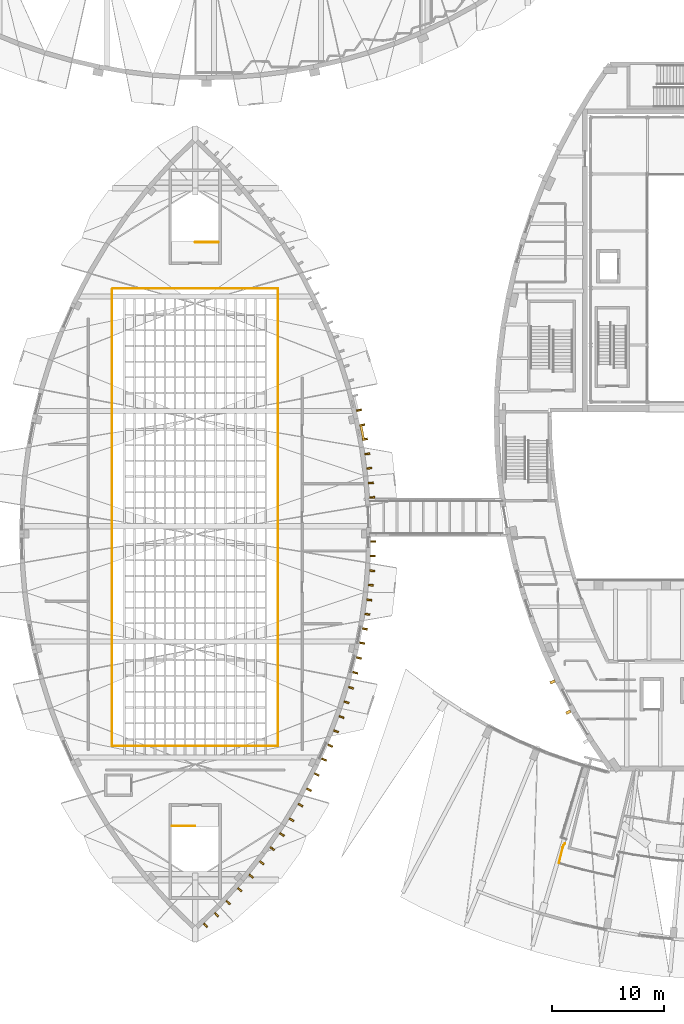
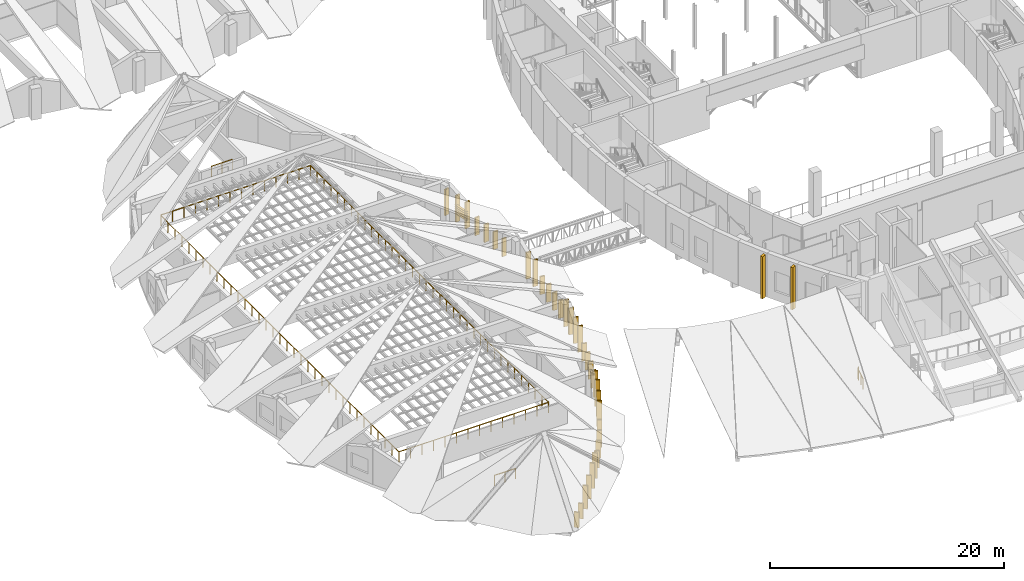
# One storey, part 51 of 56: 42 shading devices, 5 railings.
"""IFC4 building model written with IfcOpenShell, lengths in metres."""

from ifc_helpers import new_model, si_unit, direction, frame, origin, origin_2d, place, context, subcontext, project, spatial, rectangle, circle, extrude, material, layer, layer_set, type_object, element, save


model = new_model("IFC4")

# Units and contexts
model_context = context("Model", 3, precision=1e-05, world=origin(), true_north=direction((0.0, 1.0)))
body_context = subcontext(model_context, "Body", "Model", "MODEL_VIEW")
ifc_project = project(units=[si_unit("LENGTHUNIT", "METRE"), si_unit("AREAUNIT", "SQUARE_METRE"), si_unit("VOLUMEUNIT", "CUBIC_METRE"), si_unit("PLANEANGLEUNIT", "RADIAN"), si_unit("MASSUNIT", "GRAM", prefix="KILO")], contexts=[model_context])

# Site, building, storey
site_placement = place(None, origin())
site = spatial("IfcSite", under=ifc_project, at=site_placement, CompositionType="ELEMENT")
building_placement = place(site_placement, origin())
building = spatial("IfcBuilding", under=site, at=building_placement, Name="Tide Square Theatres", CompositionType="ELEMENT")
storey_placement = place(building_placement, frame((0.0, 0.0, 10.199951171875)))
storey = spatial("IfcBuildingStorey", under=building, at=storey_placement, Name="L02", CompositionType="ELEMENT", Elevation=10.199951171875)

# Shading devices
ifc_material_1 = material(Name="Aluminium 6063-T5", Category="aluminium")
ifc_layer_1 = layer(ifc_material_1, 0.0400390625)
ifc_layer_set_1 = layer_set([ifc_layer_1], Name="Aluminium 6063-T5")
shading_device_type_1 = type_object("IfcShadingDeviceType", Name="Aluminium louvre blade 200", PredefinedType="USERDEFINED", material=ifc_layer_set_1)
for number, where, z_axis, x_axis, name in (
    (1, (50.911376953125, 53.57373046875, 0.880126953125), (0.0, 0.0, 1.0), (-0.188735523631, 0.982027953838, 0.0), "Studio Theatre plant room louvre"),
    (2, (50.911376953125, 53.57373046875, 1.10009765625), (0.0, 0.0, 1.0), (-0.188735523631, 0.982027953838, 0.0), "Studio Theatre plant room louvre"),
    (3, (50.911376953125, 53.57373046875, 1.320068359375), (0.0, 0.0, 1.0), (-0.188735523631, 0.982027953838, 0.0), "Studio Theatre plant room louvre"),
    (4, (50.911376953125, 53.57373046875, 1.5400390625), (0.0, 0.0, 1.0), (-0.188735523631, 0.982027953838, 0.0), "Studio Theatre plant room louvre"),
    (5, (50.911376953125, 53.57373046875, 1.760009765625), (0.0, 0.0, 1.0), (-0.188735523631, 0.982027953838, 0.0), "Studio Theatre plant room louvre"),
):
    element("IfcShadingDevice", number, at=place(storey_placement, frame(where, z_axis=z_axis, x_axis=x_axis)), inside=storey, type_object=shading_device_type_1, Name=name, ObjectType="LOUVRE", PredefinedType="USERDEFINED", context=body_context, shape_type="SweptSolid", body=[
        extrude(rectangle(XDim=1.5, YDim=0.199951171875, at=origin_2d()), origin(), (0.0, 0.0, 1.0), 0.0400390625),
    ])
ifc_material_2 = material(Name="Concrete C40", Category="concrete")
ifc_layer_2 = layer(ifc_material_2, 0.14990234375)
ifc_layer_set_2 = layer_set([ifc_layer_2], Name="Concrete C40")
shading_device_type_2 = type_object("IfcShadingDeviceType", Name="Concrete fin 450", PredefinedType="USERDEFINED", material=ifc_layer_set_2)
for number, where, z_axis, x_axis, name in (
    (6, (67.898681640625, 31.3056640625, 0.0), (0.0, 0.0, 1.0), (0.416344267901, -0.90920704495, 0.0), "Concrete fin"),
    (7, (69.306396484375, 28.604248046875, 0.0), (0.0, 0.0, 1.0), (0.466757131825, -0.884385538038, 0.0), "Concrete fin"),
):
    element("IfcShadingDevice", number, at=place(storey_placement, frame(where, z_axis=z_axis, x_axis=x_axis)), inside=storey, type_object=shading_device_type_2, Name=name, ObjectType="BRISE-SOLEIL FIN", PredefinedType="USERDEFINED", context=body_context, shape_type="SweptSolid", body=[
        extrude(rectangle(XDim=0.25, YDim=0.449951171875, at=origin_2d()), origin(), (0.0, 0.0, 1.0), 4.39990234375),
    ])
for number, where, z_axis, x_axis, name in (
    (8, (36.92431640625, 9.584228515625, 0.0), (0.0, 0.0, 1.0), (0.717263382773, 0.696802152503, 0.0), "Concrete fin"),
    (9, (37.90185546875, 10.533935546875, 0.0), (0.0, 0.0, 1.0), (0.717263382773, 0.696802152503, 0.0), "Concrete fin"),
):
    element("IfcShadingDevice", number, at=place(storey_placement, frame(where, z_axis=z_axis, x_axis=x_axis)), inside=storey, type_object=shading_device_type_2, Name=name, ObjectType="BRISE-SOLEIL FIN", PredefinedType="USERDEFINED", context=body_context, shape_type="SweptSolid", body=[
        extrude(rectangle(XDim=0.14990234375, YDim=0.449951171875, at=origin_2d()), origin(), (0.0, 0.0, 1.0), 1.602783203125),
    ])
for number, where, z_axis, x_axis, name in (
    (10, (38.938720703125, 11.613525390625, 0.0), (0.0, 0.0, 1.0), (0.670361866799, 0.74203434391, 0.0), "Concrete fin"),
    (11, (39.978515625, 12.76416015625, 0.0), (0.0, 0.0, 1.0), (0.670361866799, 0.74203434391, 0.0), "Concrete fin"),
):
    element("IfcShadingDevice", number, at=place(storey_placement, frame(where, z_axis=z_axis, x_axis=x_axis)), inside=storey, type_object=shading_device_type_2, Name=name, ObjectType="BRISE-SOLEIL FIN", PredefinedType="USERDEFINED", context=body_context, shape_type="SweptSolid", body=[
        extrude(rectangle(XDim=0.14990234375, YDim=0.449951171875, at=origin_2d()), origin(), (0.0, 0.0, 1.0), 2.449951171875),
    ])
for number, where, z_axis, x_axis, name in (
    (12, (40.998779296875, 13.969482421875, 0.0), (0.0, 0.0, 1.0), (0.620969949886, 0.783834371113, 0.0), "Concrete fin"),
    (13, (41.9482421875, 15.16796875, 0.0), (0.0, 0.0, 1.0), (0.620969949886, 0.783834371113, 0.0), "Concrete fin"),
):
    element("IfcShadingDevice", number, at=place(storey_placement, frame(where, z_axis=z_axis, x_axis=x_axis)), inside=storey, type_object=shading_device_type_2, Name=name, ObjectType="BRISE-SOLEIL FIN", PredefinedType="USERDEFINED", context=body_context, shape_type="SweptSolid", body=[
        extrude(rectangle(XDim=0.14990234375, YDim=0.449951171875, at=origin_2d()), origin(), (0.0, 0.0, 1.0), 2.644287109375),
    ])
for number, where, z_axis, x_axis, name in (
    (14, (42.882080078125, 16.427978515625, 0.0), (0.0, 0.0, 1.0), (0.569365615032, 0.822084421711, 0.0), "Concrete fin"),
    (15, (43.752685546875, 17.684814453125, 0.0), (0.0, 0.0, 1.0), (0.569365615032, 0.822084421711, 0.0), "Concrete fin"),
):
    element("IfcShadingDevice", number, at=place(storey_placement, frame(where, z_axis=z_axis, x_axis=x_axis)), inside=storey, type_object=shading_device_type_2, Name=name, ObjectType="BRISE-SOLEIL FIN", PredefinedType="USERDEFINED", context=body_context, shape_type="SweptSolid", body=[
        extrude(rectangle(XDim=0.14990234375, YDim=0.449951171875, at=origin_2d()), origin(), (0.0, 0.0, 1.0), 1.767578125),
    ])
for number, where, z_axis, x_axis, name in (
    (16, (44.603759765625, 19.002197265625, 0.0), (0.0, 0.0, 1.0), (0.515397079115, 0.856951486865, 0.0), "Concrete fin"),
    (17, (45.391845703125, 20.312255859375, 0.0), (0.0, 0.0, 1.0), (0.515397079115, 0.856951486865, 0.0), "Concrete fin"),
):
    element("IfcShadingDevice", number, at=place(storey_placement, frame(where, z_axis=z_axis, x_axis=x_axis)), inside=storey, type_object=shading_device_type_2, Name=name, ObjectType="BRISE-SOLEIL FIN", PredefinedType="USERDEFINED", context=body_context, shape_type="SweptSolid", body=[
        extrude(rectangle(XDim=0.14990234375, YDim=0.449951171875, at=origin_2d()), origin(), (0.0, 0.0, 1.0), 1.76416015625),
    ])
for number, where, z_axis, x_axis, name in (
    (18, (46.156494140625, 21.681640625, 0.0), (0.0, 0.0, 1.0), (0.459316325007, 0.888272769808, 0.0), "Concrete fin"),
    (19, (46.85888671875, 23.0400390625, 0.0), (0.0, 0.0, 1.0), (0.459316325007, 0.888272769808, 0.0), "Concrete fin"),
):
    element("IfcShadingDevice", number, at=place(storey_placement, frame(where, z_axis=z_axis, x_axis=x_axis)), inside=storey, type_object=shading_device_type_2, Name=name, ObjectType="BRISE-SOLEIL FIN", PredefinedType="USERDEFINED", context=body_context, shape_type="SweptSolid", body=[
        extrude(rectangle(XDim=0.14990234375, YDim=0.449951171875, at=origin_2d()), origin(), (0.0, 0.0, 1.0), 2.651123046875),
    ])
for number, where, z_axis, x_axis, name in (
    (20, (47.501220703125, 24.373779296875, 0.0), (0.0, 0.0, 1.0), (0.404630907884, 0.91448008638, 0.0), "Concrete fin"),
    (21, (48.05029296875, 25.614501953125, 0.0), (0.0, 0.0, 1.0), (0.404630907884, 0.91448008638, 0.0), "Concrete fin"),
):
    element("IfcShadingDevice", number, at=place(storey_placement, frame(where, z_axis=z_axis, x_axis=x_axis)), inside=storey, type_object=shading_device_type_2, Name=name, ObjectType="BRISE-SOLEIL FIN", PredefinedType="USERDEFINED", context=body_context, shape_type="SweptSolid", body=[
        extrude(rectangle(XDim=0.14990234375, YDim=0.449951171875, at=origin_2d()), origin(), (0.0, 0.0, 1.0), 2.754638671875),
    ])
for number, where, z_axis, x_axis, name in (
    (22, (48.576904296875, 26.9033203125, 0.0), (0.0, 0.0, 1.0), (0.351874322832, 0.936047253578, 0.0), "Concrete fin"),
    (23, (49.054443359375, 28.173583984375, 0.0), (0.0, 0.0, 1.0), (0.351874322832, 0.936047253578, 0.0), "Concrete fin"),
):
    element("IfcShadingDevice", number, at=place(storey_placement, frame(where, z_axis=z_axis, x_axis=x_axis)), inside=storey, type_object=shading_device_type_2, Name=name, ObjectType="BRISE-SOLEIL FIN", PredefinedType="USERDEFINED", context=body_context, shape_type="SweptSolid", body=[
        extrude(rectangle(XDim=0.14990234375, YDim=0.449951171875, at=origin_2d()), origin(), (0.0, 0.0, 1.0), 1.85546875),
    ])
for number, where, z_axis, x_axis, name in (
    (24, (49.507080078125, 29.490234375, 0.0), (0.0, 0.0, 1.0), (0.297924727468, 0.95458936552, 0.0), "Concrete fin"),
    (25, (49.911376953125, 30.785888671875, 0.0), (0.0, 0.0, 1.0), (0.297924727468, 0.95458936552, 0.0), "Concrete fin"),
):
    element("IfcShadingDevice", number, at=place(storey_placement, frame(where, z_axis=z_axis, x_axis=x_axis)), inside=storey, type_object=shading_device_type_2, Name=name, ObjectType="BRISE-SOLEIL FIN", PredefinedType="USERDEFINED", context=body_context, shape_type="SweptSolid", body=[
        extrude(rectangle(XDim=0.14990234375, YDim=0.449951171875, at=origin_2d()), origin(), (0.0, 0.0, 1.0), 1.851806640625),
    ])
for number, where, z_axis, x_axis, name in (
    (26, (50.2880859375, 32.126220703125, 0.0), (0.0, 0.0, 1.0), (0.243039435287, 0.97001640857, 0.0), "Concrete fin"),
    (27, (50.617919921875, 33.44287109375, 0.0), (0.0, 0.0, 1.0), (0.243039435287, 0.97001640857, 0.0), "Concrete fin"),
):
    element("IfcShadingDevice", number, at=place(storey_placement, frame(where, z_axis=z_axis, x_axis=x_axis)), inside=storey, type_object=shading_device_type_2, Name=name, ObjectType="BRISE-SOLEIL FIN", PredefinedType="USERDEFINED", context=body_context, shape_type="SweptSolid", body=[
        extrude(rectangle(XDim=0.14990234375, YDim=0.449951171875, at=origin_2d()), origin(), (0.0, 0.0, 1.0), 2.7373046875),
    ])
for number, where, z_axis, x_axis, name in (
    (28, (50.912353515625, 34.768798828125, 0.0), (0.0, 0.0, 1.0), (0.188735523631, 0.982027953838, 0.0), "Concrete fin"),
    (29, (51.156005859375, 36.036376953125, 0.0), (0.0, 0.0, 1.0), (0.188735523631, 0.982027953838, 0.0), "Concrete fin"),
):
    element("IfcShadingDevice", number, at=place(storey_placement, frame(where, z_axis=z_axis, x_axis=x_axis)), inside=storey, type_object=shading_device_type_2, Name=name, ObjectType="BRISE-SOLEIL FIN", PredefinedType="USERDEFINED", context=body_context, shape_type="SweptSolid", body=[
        extrude(rectangle(XDim=0.14990234375, YDim=0.449951171875, at=origin_2d()), origin(), (0.0, 0.0, 1.0), 2.783935546875),
    ])
for number, where, z_axis, x_axis, name in (
    (30, (51.370361328125, 37.343017578125, 0.0), (0.0, 0.0, 1.0), (0.135214092527, 0.990816405386, 0.0), "Concrete fin"),
    (31, (51.544921875, 38.6220703125, 0.0), (0.0, 0.0, 1.0), (0.135214092527, 0.990816405386, 0.0), "Concrete fin"),
):
    element("IfcShadingDevice", number, at=place(storey_placement, frame(where, z_axis=z_axis, x_axis=x_axis)), inside=storey, type_object=shading_device_type_2, Name=name, ObjectType="BRISE-SOLEIL FIN", PredefinedType="USERDEFINED", context=body_context, shape_type="SweptSolid", body=[
        extrude(rectangle(XDim=0.14990234375, YDim=0.449951171875, at=origin_2d()), origin(), (0.0, 0.0, 1.0), 1.880859375),
    ])
for number, where, z_axis, x_axis, name in (
    (32, (51.688232421875, 39.9384765625, 0.0), (0.0, 0.0, 1.0), (0.081294891247, 0.996690092585, 0.0), "Concrete fin"),
    (33, (51.793212890625, 41.22509765625, 0.0), (0.0, 0.0, 1.0), (0.081294891247, 0.996690092585, 0.0), "Concrete fin"),
):
    element("IfcShadingDevice", number, at=place(storey_placement, frame(where, z_axis=z_axis, x_axis=x_axis)), inside=storey, type_object=shading_device_type_2, Name=name, ObjectType="BRISE-SOLEIL FIN", PredefinedType="USERDEFINED", context=body_context, shape_type="SweptSolid", body=[
        extrude(rectangle(XDim=0.14990234375, YDim=0.449951171875, at=origin_2d()), origin(), (0.0, 0.0, 1.0), 1.8759765625),
    ])
for number, where, z_axis, x_axis, name in (
    (34, (51.864990234375, 42.547607421875, 0.0), (0.0, 0.0, 1.0), (0.027153985105, 0.999631262563, 0.0), "Concrete fin"),
    (35, (51.89990234375, 43.837890625, 0.0), (0.0, 0.0, 1.0), (0.027153985105, 0.999631262563, 0.0), "Concrete fin"),
):
    element("IfcShadingDevice", number, at=place(storey_placement, frame(where, z_axis=z_axis, x_axis=x_axis)), inside=storey, type_object=shading_device_type_2, Name=name, ObjectType="BRISE-SOLEIL FIN", PredefinedType="USERDEFINED", context=body_context, shape_type="SweptSolid", body=[
        extrude(rectangle(XDim=0.14990234375, YDim=0.449951171875, at=origin_2d()), origin(), (0.0, 0.0, 1.0), 2.76953125),
    ])
for number, where, z_axis, x_axis, name in (
    (36, (51.793212890625, 47.77490234375, 0.0), (0.0, 0.0, 1.0), (-0.081294891247, 0.996690092585, 0.0), "Concrete fin"),
    (37, (51.688232421875, 49.0615234375, 0.0), (0.0, 0.0, 1.0), (-0.081294891247, 0.996690092585, 0.0), "Concrete fin"),
):
    element("IfcShadingDevice", number, at=place(storey_placement, frame(where, z_axis=z_axis, x_axis=x_axis)), inside=storey, type_object=shading_device_type_2, Name=name, ObjectType="BRISE-SOLEIL FIN", PredefinedType="USERDEFINED", context=body_context, shape_type="SweptSolid", body=[
        extrude(rectangle(XDim=0.14990234375, YDim=0.449951171875, at=origin_2d()), origin(), (0.0, 0.0, 1.0), 1.864990234375),
    ])
for number, where, z_axis, x_axis, name in (
    (38, (51.544921875, 50.3779296875, 0.0), (0.0, 0.0, 1.0), (-0.135214092527, 0.990816405386, 0.0), "Concrete fin"),
    (39, (51.370361328125, 51.656982421875, 0.0), (0.0, 0.0, 1.0), (-0.135214092527, 0.990816405386, 0.0), "Concrete fin"),
):
    element("IfcShadingDevice", number, at=place(storey_placement, frame(where, z_axis=z_axis, x_axis=x_axis)), inside=storey, type_object=shading_device_type_2, Name=name, ObjectType="BRISE-SOLEIL FIN", PredefinedType="USERDEFINED", context=body_context, shape_type="SweptSolid", body=[
        extrude(rectangle(XDim=0.14990234375, YDim=0.449951171875, at=origin_2d()), origin(), (0.0, 0.0, 1.0), 1.868896484375),
    ])
for number, where, z_axis, x_axis, name in (
    (40, (51.156005859375, 52.963623046875, 0.0), (0.0, 0.0, 1.0), (-0.188735523631, 0.982027953838, 0.0), "Concrete fin"),
    (41, (50.912353515625, 54.231201171875, 0.0), (0.0, 0.0, 1.0), (-0.188735523631, 0.982027953838, 0.0), "Concrete fin"),
):
    element("IfcShadingDevice", number, at=place(storey_placement, frame(where, z_axis=z_axis, x_axis=x_axis)), inside=storey, type_object=shading_device_type_2, Name=name, ObjectType="BRISE-SOLEIL FIN", PredefinedType="USERDEFINED", context=body_context, shape_type="SweptSolid", body=[
        extrude(rectangle(XDim=0.14990234375, YDim=0.449951171875, at=origin_2d()), origin(), (0.0, 0.0, 1.0), 2.771484375),
    ])
shading_device_placement = place(storey_placement, frame((50.617919921875, 55.55712890625, 0.0), z_axis=(0.0, 0.0, 1.0), x_axis=(-0.243039435287, 0.97001640857, 0.0)))
element("IfcShadingDevice", 42, at=shading_device_placement, inside=storey, type_object=shading_device_type_2, Name="Concrete fin", ObjectType="BRISE-SOLEIL FIN", PredefinedType="USERDEFINED", context=body_context, shape_type="SweptSolid", body=[
    extrude(rectangle(XDim=0.14990234375, YDim=0.449951171875, at=origin_2d()), origin(), (0.0, 0.0, 1.0), 2.72509765625),
])

# Railings
ifc_material_3 = material(Name="Painted steel", Category="steel")
railing_type = type_object("IfcRailingType", Name="Steel guard 1100", PredefinedType="GUARDRAIL", material=ifc_material_3)
railing_1_placement = place(storey_placement, frame((38.070068359375, 70.544921875, 0.0)))
element("IfcRailing", 43, at=railing_1_placement, inside=storey, type_object=railing_type, Name="Studio Theatre stair well guard", PredefinedType="GUARDRAIL", context=body_context, shape_type="SweptSolid", body=[
    extrude(circle(Radius=0.02490234375, at=origin_2d()), frame((0.0, 0.0, 1.0751953125), z_axis=(-1.0, 0.0, 0.0), x_axis=(0.0, -1.0, 0.0)), (0.0, 0.0, 1.0), 2.070068359375),
    extrude(circle(Radius=0.02001953125, at=origin_2d()), origin(), (0.0, 0.0, 1.0), 1.050048828125),
    extrude(circle(Radius=0.02001953125, at=origin_2d()), frame((-1.03515625, 0.0, 0.0)), (0.0, 0.0, 1.0), 1.050048828125),
    extrude(circle(Radius=0.02001953125, at=origin_2d()), frame((-2.070068359375, 0.0, 0.0)), (0.0, 0.0, 1.0), 1.050048828125),
])
railing_2_placement = place(storey_placement, frame((33.929931640625, 18.455078125, 0.0)))
element("IfcRailing", 44, at=railing_2_placement, inside=storey, type_object=railing_type, Name="Studio Theatre stair well guard", PredefinedType="GUARDRAIL", context=body_context, shape_type="SweptSolid", body=[
    extrude(circle(Radius=0.02490234375, at=origin_2d()), frame((0.0, 0.0, 1.0751953125), z_axis=(1.0, 0.0, 0.0), x_axis=(0.0, 1.0, 0.0)), (0.0, 0.0, 1.0), 2.070068359375),
    extrude(circle(Radius=0.02001953125, at=origin_2d()), origin(), (0.0, 0.0, 1.0), 1.050048828125),
    extrude(circle(Radius=0.02001953125, at=origin_2d()), frame((1.03515625, 0.0, 0.0)), (0.0, 0.0, 1.0), 1.050048828125),
    extrude(circle(Radius=0.02001953125, at=origin_2d()), frame((2.070068359375, 0.0, 0.0)), (0.0, 0.0, 1.0), 1.050048828125),
])
railing_3_placement = place(storey_placement, frame((68.462890625, 15.127685546875, 0.0)))
element("IfcRailing", 45, at=railing_3_placement, inside=storey, type_object=railing_type, Name="Gallery guard", PredefinedType="GUARDRAIL", context=body_context, shape_type="SweptSolid", body=[
    extrude(circle(Radius=0.02392578125, at=origin_2d()), frame((0.0, 0.0, 1.076171875), z_axis=(0.237088350759, 0.971488092533, 0.0), x_axis=(-0.971488092533, 0.237088350759, 0.0)), (0.0, 0.0, 1.0), 1.44580078125),
    extrude(circle(Radius=0.02392578125, at=origin_2d()), frame((0.3427734375, 1.404541015625, 1.076171875), z_axis=(0.376377046956, 0.926466577122, 0.0), x_axis=(-0.926466577122, 0.376377046956, 0.0)), (0.0, 0.0, 1.0), 0.202392578125),
    extrude(circle(Radius=0.02392578125, at=origin_2d()), frame((0.4189453125, 1.592041015625, 1.076171875), z_axis=(0.629163015551, 0.777273375243, 0.0), x_axis=(-0.777273375243, 0.629163015551, 0.0)), (0.0, 0.0, 1.0), 0.199462890625),
    extrude(circle(Radius=0.02099609375, at=origin_2d()), origin(), (0.0, 0.0, 1.0), 1.052001953125),
    extrude(circle(Radius=0.02099609375, at=origin_2d()), frame((0.17138671875, 0.7021484375, 0.0)), (0.0, 0.0, 1.0), 1.052001953125),
    extrude(circle(Radius=0.02099609375, at=origin_2d()), frame((0.3427734375, 1.404541015625, 0.0)), (0.0, 0.0, 1.0), 1.052001953125),
    extrude(circle(Radius=0.02099609375, at=origin_2d()), frame((0.4189453125, 1.592041015625, 0.0)), (0.0, 0.0, 1.0), 1.052001953125),
    extrude(circle(Radius=0.02099609375, at=origin_2d()), frame((0.54443359375, 1.7470703125, 0.0)), (0.0, 0.0, 1.0), 1.052001953125),
])
railing_4_placement = place(storey_placement, frame((28.590087890625, 66.360107421875, 0.0)))
element("IfcRailing", 46, at=railing_4_placement, inside=storey, type_object=railing_type, Name="Studio Theatre gallery guard", PredefinedType="GUARDRAIL", context=body_context, shape_type="SweptSolid", body=[
    extrude(circle(Radius=0.02490234375, at=origin_2d()), frame((0.0, 0.0, 1.0751953125), z_axis=(0.0, -1.0, 0.0), x_axis=(1.0, 0.0, 0.0)), (0.0, 0.0, 1.0), 40.77001953125),
    extrude(circle(Radius=0.02490234375, at=origin_2d()), frame((0.0, -40.77001953125, 1.0751953125), z_axis=(1.0, 0.0, 0.0), x_axis=(0.0, 1.0, 0.0)), (0.0, 0.0, 1.0), 14.81982421875),
    extrude(circle(Radius=0.02001953125, at=origin_2d()), origin(), (0.0, 0.0, 1.0), 1.050048828125),
    extrude(circle(Radius=0.02001953125, at=origin_2d()), frame((0.0, -1.19921875, 0.0)), (0.0, 0.0, 1.0), 1.050048828125),
    extrude(circle(Radius=0.02001953125, at=origin_2d()), frame((0.0, -2.398193359375, 0.0)), (0.0, 0.0, 1.0), 1.050048828125),
    extrude(circle(Radius=0.02001953125, at=origin_2d()), frame((0.0, -3.597412109375, 0.0)), (0.0, 0.0, 1.0), 1.050048828125),
    extrude(circle(Radius=0.02001953125, at=origin_2d()), frame((0.0, -4.79638671875, 0.0)), (0.0, 0.0, 1.0), 1.050048828125),
    extrude(circle(Radius=0.02001953125, at=origin_2d()), frame((0.0, -5.99560546875, 0.0)), (0.0, 0.0, 1.0), 1.050048828125),
    extrude(circle(Radius=0.02001953125, at=origin_2d()), frame((0.0, -7.19482421875, 0.0)), (0.0, 0.0, 1.0), 1.050048828125),
    extrude(circle(Radius=0.02001953125, at=origin_2d()), frame((0.0, -8.393798828125, 0.0)), (0.0, 0.0, 1.0), 1.050048828125),
    extrude(circle(Radius=0.02001953125, at=origin_2d()), frame((0.0, -9.593017578125, 0.0)), (0.0, 0.0, 1.0), 1.050048828125),
    extrude(circle(Radius=0.02001953125, at=origin_2d()), frame((0.0, -10.7919921875, 0.0)), (0.0, 0.0, 1.0), 1.050048828125),
    extrude(circle(Radius=0.02001953125, at=origin_2d()), frame((0.0, -11.9912109375, 0.0)), (0.0, 0.0, 1.0), 1.050048828125),
    extrude(circle(Radius=0.02001953125, at=origin_2d()), frame((0.0, -13.190185546875, 0.0)), (0.0, 0.0, 1.0), 1.050048828125),
    extrude(circle(Radius=0.02001953125, at=origin_2d()), frame((0.0, -14.389404296875, 0.0)), (0.0, 0.0, 1.0), 1.050048828125),
    extrude(circle(Radius=0.02001953125, at=origin_2d()), frame((0.0, -15.588623046875, 0.0)), (0.0, 0.0, 1.0), 1.050048828125),
    extrude(circle(Radius=0.02001953125, at=origin_2d()), frame((0.0, -16.78759765625, 0.0)), (0.0, 0.0, 1.0), 1.050048828125),
    extrude(circle(Radius=0.02001953125, at=origin_2d()), frame((0.0, -17.98681640625, 0.0)), (0.0, 0.0, 1.0), 1.050048828125),
    extrude(circle(Radius=0.02001953125, at=origin_2d()), frame((0.0, -19.185791015625, 0.0)), (0.0, 0.0, 1.0), 1.050048828125),
    extrude(circle(Radius=0.02001953125, at=origin_2d()), frame((0.0, -20.385009765625, 0.0)), (0.0, 0.0, 1.0), 1.050048828125),
    extrude(circle(Radius=0.02001953125, at=origin_2d()), frame((0.0, -21.584228515625, 0.0)), (0.0, 0.0, 1.0), 1.050048828125),
    extrude(circle(Radius=0.02001953125, at=origin_2d()), frame((0.0, -22.783203125, 0.0)), (0.0, 0.0, 1.0), 1.050048828125),
    extrude(circle(Radius=0.02001953125, at=origin_2d()), frame((0.0, -23.982421875, 0.0)), (0.0, 0.0, 1.0), 1.050048828125),
    extrude(circle(Radius=0.02001953125, at=origin_2d()), frame((0.0, -25.181396484375, 0.0)), (0.0, 0.0, 1.0), 1.050048828125),
    extrude(circle(Radius=0.02001953125, at=origin_2d()), frame((0.0, -26.380615234375, 0.0)), (0.0, 0.0, 1.0), 1.050048828125),
    extrude(circle(Radius=0.02001953125, at=origin_2d()), frame((0.0, -27.579833984375, 0.0)), (0.0, 0.0, 1.0), 1.050048828125),
    extrude(circle(Radius=0.02001953125, at=origin_2d()), frame((0.0, -28.77880859375, 0.0)), (0.0, 0.0, 1.0), 1.050048828125),
    extrude(circle(Radius=0.02001953125, at=origin_2d()), frame((0.0, -29.97802734375, 0.0)), (0.0, 0.0, 1.0), 1.050048828125),
    extrude(circle(Radius=0.02001953125, at=origin_2d()), frame((0.0, -31.177001953125, 0.0)), (0.0, 0.0, 1.0), 1.050048828125),
    extrude(circle(Radius=0.02001953125, at=origin_2d()), frame((0.0, -32.376220703125, 0.0)), (0.0, 0.0, 1.0), 1.050048828125),
    extrude(circle(Radius=0.02001953125, at=origin_2d()), frame((0.0, -33.5751953125, 0.0)), (0.0, 0.0, 1.0), 1.050048828125),
    extrude(circle(Radius=0.02001953125, at=origin_2d()), frame((0.0, -34.7744140625, 0.0)), (0.0, 0.0, 1.0), 1.050048828125),
    extrude(circle(Radius=0.02001953125, at=origin_2d()), frame((0.0, -35.9736328125, 0.0)), (0.0, 0.0, 1.0), 1.050048828125),
    extrude(circle(Radius=0.02001953125, at=origin_2d()), frame((0.0, -37.172607421875, 0.0)), (0.0, 0.0, 1.0), 1.050048828125),
    extrude(circle(Radius=0.02001953125, at=origin_2d()), frame((0.0, -38.371826171875, 0.0)), (0.0, 0.0, 1.0), 1.050048828125),
    extrude(circle(Radius=0.02001953125, at=origin_2d()), frame((0.0, -39.57080078125, 0.0)), (0.0, 0.0, 1.0), 1.050048828125),
    extrude(circle(Radius=0.02001953125, at=origin_2d()), frame((0.0, -40.77001953125, 0.0)), (0.0, 0.0, 1.0), 1.050048828125),
    extrude(circle(Radius=0.02001953125, at=origin_2d()), frame((1.139892578125, -40.77001953125, 0.0)), (0.0, 0.0, 1.0), 1.050048828125),
    extrude(circle(Radius=0.02001953125, at=origin_2d()), frame((2.280029296875, -40.77001953125, 0.0)), (0.0, 0.0, 1.0), 1.050048828125),
    extrude(circle(Radius=0.02001953125, at=origin_2d()), frame((3.419921875, -40.77001953125, 0.0)), (0.0, 0.0, 1.0), 1.050048828125),
    extrude(circle(Radius=0.02001953125, at=origin_2d()), frame((4.56005859375, -40.77001953125, 0.0)), (0.0, 0.0, 1.0), 1.050048828125),
    extrude(circle(Radius=0.02001953125, at=origin_2d()), frame((5.699951171875, -40.77001953125, 0.0)), (0.0, 0.0, 1.0), 1.050048828125),
    extrude(circle(Radius=0.02001953125, at=origin_2d()), frame((6.83984375, -40.77001953125, 0.0)), (0.0, 0.0, 1.0), 1.050048828125),
    extrude(circle(Radius=0.02001953125, at=origin_2d()), frame((7.97998046875, -40.77001953125, 0.0)), (0.0, 0.0, 1.0), 1.050048828125),
    extrude(circle(Radius=0.02001953125, at=origin_2d()), frame((9.119873046875, -40.77001953125, 0.0)), (0.0, 0.0, 1.0), 1.050048828125),
    extrude(circle(Radius=0.02001953125, at=origin_2d()), frame((10.259765625, -40.77001953125, 0.0)), (0.0, 0.0, 1.0), 1.050048828125),
    extrude(circle(Radius=0.02001953125, at=origin_2d()), frame((11.39990234375, -40.77001953125, 0.0)), (0.0, 0.0, 1.0), 1.050048828125),
    extrude(circle(Radius=0.02001953125, at=origin_2d()), frame((12.539794921875, -40.77001953125, 0.0)), (0.0, 0.0, 1.0), 1.050048828125),
    extrude(circle(Radius=0.02001953125, at=origin_2d()), frame((13.679931640625, -40.77001953125, 0.0)), (0.0, 0.0, 1.0), 1.050048828125),
    extrude(circle(Radius=0.02001953125, at=origin_2d()), frame((14.81982421875, -40.77001953125, 0.0)), (0.0, 0.0, 1.0), 1.050048828125),
])
railing_5_placement = place(storey_placement, frame((43.409912109375, 25.590087890625, 0.0)))
element("IfcRailing", 47, at=railing_5_placement, inside=storey, type_object=railing_type, Name="Studio Theatre gallery guard", PredefinedType="GUARDRAIL", context=body_context, shape_type="SweptSolid", body=[
    extrude(circle(Radius=0.02490234375, at=origin_2d()), frame((0.0, 0.0, 1.0751953125), z_axis=(0.0, 1.0, 0.0), x_axis=(-1.0, 0.0, 0.0)), (0.0, 0.0, 1.0), 40.81982421875),
    extrude(circle(Radius=0.02490234375, at=origin_2d()), frame((0.0, 40.81982421875, 1.0751953125), z_axis=(-1.0, 0.0, 0.0), x_axis=(0.0, -1.0, 0.0)), (0.0, 0.0, 1.0), 14.77001953125),
    extrude(circle(Radius=0.02001953125, at=origin_2d()), origin(), (0.0, 0.0, 1.0), 1.050048828125),
    extrude(circle(Radius=0.02001953125, at=origin_2d()), frame((0.0, 1.166259765625, 0.0)), (0.0, 0.0, 1.0), 1.050048828125),
    extrude(circle(Radius=0.02001953125, at=origin_2d()), frame((0.0, 2.33251953125, 0.0)), (0.0, 0.0, 1.0), 1.050048828125),
    extrude(circle(Radius=0.02001953125, at=origin_2d()), frame((0.0, 3.498779296875, 0.0)), (0.0, 0.0, 1.0), 1.050048828125),
    extrude(circle(Radius=0.02001953125, at=origin_2d()), frame((0.0, 4.6650390625, 0.0)), (0.0, 0.0, 1.0), 1.050048828125),
    extrude(circle(Radius=0.02001953125, at=origin_2d()), frame((0.0, 5.831298828125, 0.0)), (0.0, 0.0, 1.0), 1.050048828125),
    extrude(circle(Radius=0.02001953125, at=origin_2d()), frame((0.0, 6.997802734375, 0.0)), (0.0, 0.0, 1.0), 1.050048828125),
    extrude(circle(Radius=0.02001953125, at=origin_2d()), frame((0.0, 8.1640625, 0.0)), (0.0, 0.0, 1.0), 1.050048828125),
    extrude(circle(Radius=0.02001953125, at=origin_2d()), frame((0.0, 9.330322265625, 0.0)), (0.0, 0.0, 1.0), 1.050048828125),
    extrude(circle(Radius=0.02001953125, at=origin_2d()), frame((0.0, 10.49658203125, 0.0)), (0.0, 0.0, 1.0), 1.050048828125),
    extrude(circle(Radius=0.02001953125, at=origin_2d()), frame((0.0, 11.662841796875, 0.0)), (0.0, 0.0, 1.0), 1.050048828125),
    extrude(circle(Radius=0.02001953125, at=origin_2d()), frame((0.0, 12.8291015625, 0.0)), (0.0, 0.0, 1.0), 1.050048828125),
    extrude(circle(Radius=0.02001953125, at=origin_2d()), frame((0.0, 13.995361328125, 0.0)), (0.0, 0.0, 1.0), 1.050048828125),
    extrude(circle(Radius=0.02001953125, at=origin_2d()), frame((0.0, 15.16162109375, 0.0)), (0.0, 0.0, 1.0), 1.050048828125),
    extrude(circle(Radius=0.02001953125, at=origin_2d()), frame((0.0, 16.327880859375, 0.0)), (0.0, 0.0, 1.0), 1.050048828125),
    extrude(circle(Radius=0.02001953125, at=origin_2d()), frame((0.0, 17.494140625, 0.0)), (0.0, 0.0, 1.0), 1.050048828125),
    extrude(circle(Radius=0.02001953125, at=origin_2d()), frame((0.0, 18.660400390625, 0.0)), (0.0, 0.0, 1.0), 1.050048828125),
    extrude(circle(Radius=0.02001953125, at=origin_2d()), frame((0.0, 19.82666015625, 0.0)), (0.0, 0.0, 1.0), 1.050048828125),
    extrude(circle(Radius=0.02001953125, at=origin_2d()), frame((0.0, 20.9931640625, 0.0)), (0.0, 0.0, 1.0), 1.050048828125),
    extrude(circle(Radius=0.02001953125, at=origin_2d()), frame((0.0, 22.159423828125, 0.0)), (0.0, 0.0, 1.0), 1.050048828125),
    extrude(circle(Radius=0.02001953125, at=origin_2d()), frame((0.0, 23.32568359375, 0.0)), (0.0, 0.0, 1.0), 1.050048828125),
    extrude(circle(Radius=0.02001953125, at=origin_2d()), frame((0.0, 24.491943359375, 0.0)), (0.0, 0.0, 1.0), 1.050048828125),
    extrude(circle(Radius=0.02001953125, at=origin_2d()), frame((0.0, 25.658203125, 0.0)), (0.0, 0.0, 1.0), 1.050048828125),
    extrude(circle(Radius=0.02001953125, at=origin_2d()), frame((0.0, 26.824462890625, 0.0)), (0.0, 0.0, 1.0), 1.050048828125),
    extrude(circle(Radius=0.02001953125, at=origin_2d()), frame((0.0, 27.99072265625, 0.0)), (0.0, 0.0, 1.0), 1.050048828125),
    extrude(circle(Radius=0.02001953125, at=origin_2d()), frame((0.0, 29.156982421875, 0.0)), (0.0, 0.0, 1.0), 1.050048828125),
    extrude(circle(Radius=0.02001953125, at=origin_2d()), frame((0.0, 30.3232421875, 0.0)), (0.0, 0.0, 1.0), 1.050048828125),
    extrude(circle(Radius=0.02001953125, at=origin_2d()), frame((0.0, 31.489501953125, 0.0)), (0.0, 0.0, 1.0), 1.050048828125),
    extrude(circle(Radius=0.02001953125, at=origin_2d()), frame((0.0, 32.65576171875, 0.0)), (0.0, 0.0, 1.0), 1.050048828125),
    extrude(circle(Radius=0.02001953125, at=origin_2d()), frame((0.0, 33.822021484375, 0.0)), (0.0, 0.0, 1.0), 1.050048828125),
    extrude(circle(Radius=0.02001953125, at=origin_2d()), frame((0.0, 34.988525390625, 0.0)), (0.0, 0.0, 1.0), 1.050048828125),
    extrude(circle(Radius=0.02001953125, at=origin_2d()), frame((0.0, 36.15478515625, 0.0)), (0.0, 0.0, 1.0), 1.050048828125),
    extrude(circle(Radius=0.02001953125, at=origin_2d()), frame((0.0, 37.321044921875, 0.0)), (0.0, 0.0, 1.0), 1.050048828125),
    extrude(circle(Radius=0.02001953125, at=origin_2d()), frame((0.0, 38.4873046875, 0.0)), (0.0, 0.0, 1.0), 1.050048828125),
    extrude(circle(Radius=0.02001953125, at=origin_2d()), frame((0.0, 39.653564453125, 0.0)), (0.0, 0.0, 1.0), 1.050048828125),
    extrude(circle(Radius=0.02001953125, at=origin_2d()), frame((0.0, 40.81982421875, 0.0)), (0.0, 0.0, 1.0), 1.050048828125),
    extrude(circle(Radius=0.02001953125, at=origin_2d()), frame((-1.13623046875, 40.81982421875, 0.0)), (0.0, 0.0, 1.0), 1.050048828125),
    extrude(circle(Radius=0.02001953125, at=origin_2d()), frame((-2.272216796875, 40.81982421875, 0.0)), (0.0, 0.0, 1.0), 1.050048828125),
    extrude(circle(Radius=0.02001953125, at=origin_2d()), frame((-3.408447265625, 40.81982421875, 0.0)), (0.0, 0.0, 1.0), 1.050048828125),
    extrude(circle(Radius=0.02001953125, at=origin_2d()), frame((-4.544677734375, 40.81982421875, 0.0)), (0.0, 0.0, 1.0), 1.050048828125),
    extrude(circle(Radius=0.02001953125, at=origin_2d()), frame((-5.6806640625, 40.81982421875, 0.0)), (0.0, 0.0, 1.0), 1.050048828125),
    extrude(circle(Radius=0.02001953125, at=origin_2d()), frame((-6.81689453125, 40.81982421875, 0.0)), (0.0, 0.0, 1.0), 1.050048828125),
    extrude(circle(Radius=0.02001953125, at=origin_2d()), frame((-7.953125, 40.81982421875, 0.0)), (0.0, 0.0, 1.0), 1.050048828125),
    extrude(circle(Radius=0.02001953125, at=origin_2d()), frame((-9.08935546875, 40.81982421875, 0.0)), (0.0, 0.0, 1.0), 1.050048828125),
    extrude(circle(Radius=0.02001953125, at=origin_2d()), frame((-10.225341796875, 40.81982421875, 0.0)), (0.0, 0.0, 1.0), 1.050048828125),
    extrude(circle(Radius=0.02001953125, at=origin_2d()), frame((-11.361572265625, 40.81982421875, 0.0)), (0.0, 0.0, 1.0), 1.050048828125),
    extrude(circle(Radius=0.02001953125, at=origin_2d()), frame((-12.497802734375, 40.81982421875, 0.0)), (0.0, 0.0, 1.0), 1.050048828125),
    extrude(circle(Radius=0.02001953125, at=origin_2d()), frame((-13.6337890625, 40.81982421875, 0.0)), (0.0, 0.0, 1.0), 1.050048828125),
    extrude(circle(Radius=0.02001953125, at=origin_2d()), frame((-14.77001953125, 40.81982421875, 0.0)), (0.0, 0.0, 1.0), 1.050048828125),
])

save(model, "model.ifc")
